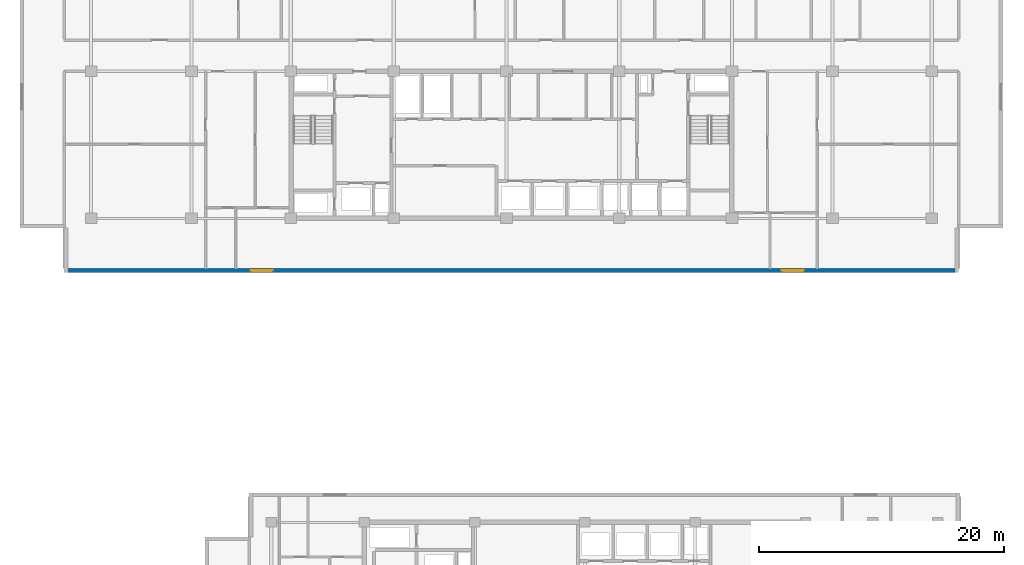
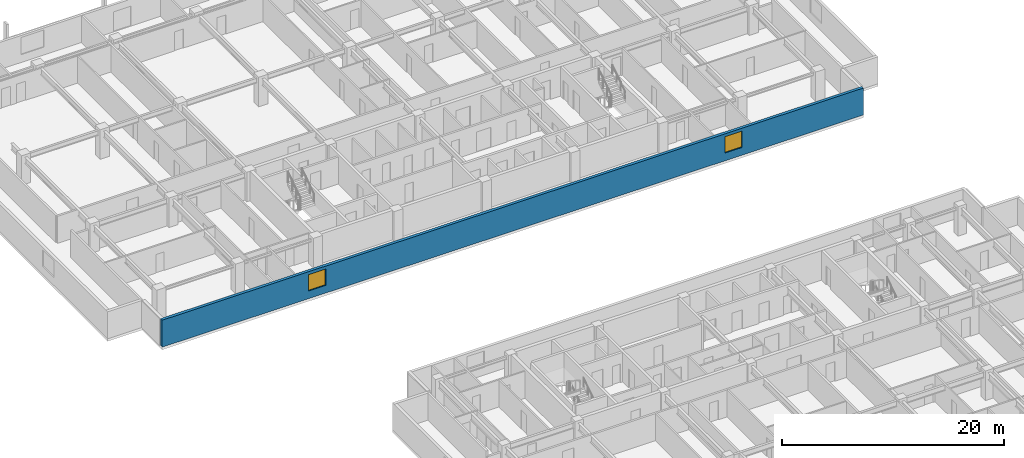
# One storey, part 9 of 22: 2 windows, 1 wall, 2 openings.
"""IFC4 building model written with IfcOpenShell, lengths in metres."""

from ifc_helpers import new_model, si_unit, direction, frame, frame_2d, origin, place, context, subcontext, project, spatial, rectangle, extrude, material, layer, layer_set, type_object, element, fill, save


model = new_model("IFC4")

# Units and contexts
model_context = context("Model", 3, precision=1e-05, world=origin(), true_north=direction((0.0, 1.0)))
body_context = subcontext(model_context, "Body", "Model", "MODEL_VIEW")
ifc_project = project(units=[si_unit("LENGTHUNIT", "METRE"), si_unit("AREAUNIT", "SQUARE_METRE"), si_unit("VOLUMEUNIT", "CUBIC_METRE"), si_unit("PLANEANGLEUNIT", "RADIAN"), si_unit("MASSUNIT", "GRAM", prefix="KILO")], contexts=[model_context])

# Site, building, storey
site_placement = place(None, origin())
site = spatial("IfcSite", under=ifc_project, at=site_placement, CompositionType="ELEMENT")
building_placement = place(site_placement, origin())
building = spatial("IfcBuilding", under=site, at=building_placement, Name="Korimba Cascade Residences", CompositionType="ELEMENT")
storey_placement = place(building_placement, frame((0.0, 0.0, 110.050048828125)))
storey = spatial("IfcBuildingStorey", under=building, at=storey_placement, Name="L31", CompositionType="ELEMENT", Elevation=110.050048828125)

# Wall, openings, windows
ifc_material_1 = material(Name="Precast concrete C40/50", Category="concrete")
ifc_layer = layer(ifc_material_1, 0.300048828125)
ifc_layer_set = layer_set([ifc_layer], Name="Precast concrete C40/50")
wall_type = type_object("IfcWallType", Name="EW-STONE-300", PredefinedType="STANDARD", material=ifc_layer_set)
wall_placement = place(storey_placement, frame((57.60009765625, 50.949951171875, 0.0), z_axis=(0.0, 0.0, 1.0), x_axis=(1.0, 0.0, 0.0)))
wall = element("IfcWall", 1, at=wall_placement, inside=storey, type_object=wall_type, Name="L31 T1 Perimeter Stone Wall E00", PredefinedType="STANDARD", context=body_context, shape_type="SweptSolid", body=[
    extrude(rectangle(XDim=73.0, YDim=0.300048828125, at=frame_2d((36.5, 0.0))), origin(), (0.0, 0.0, 1.0), 2.969970703125),
])
opening_1_placement = place(wall_placement, frame((15.22509765625, 0.0, 0.85009765625)))
opening_1 = element("IfcOpeningElement", 2, at=opening_1_placement, cuts=wall, Name="Opening W-02", PredefinedType="OPENING", context=body_context, shape_type="SweptSolid", body=[
    extrude(rectangle(XDim=1.800048828125, YDim=1.800048828125, at=frame_2d((0.89990234375, 0.89990234375))), frame((0.0, 0.16015625, 0.0), z_axis=(0.0, -1.0, 0.0), x_axis=(1.0, 0.0, 0.0)), (0.0, 0.0, 1.0), 0.320068359375),
])
opening_2_placement = place(wall_placement, frame((58.574951171875, 0.0, 0.85009765625)))
opening_2 = element("IfcOpeningElement", 3, at=opening_2_placement, cuts=wall, Name="Opening W-02", PredefinedType="OPENING", context=body_context, shape_type="SweptSolid", body=[
    extrude(rectangle(XDim=1.800048828125, YDim=1.800048828125, at=frame_2d((0.89990234375, 0.89990234375))), frame((0.0, 0.16015625, 0.0), z_axis=(0.0, -1.0, 0.0), x_axis=(1.0, 0.0, 0.0)), (0.0, 0.0, 1.0), 0.320068359375),
])
ifc_material_2 = material(Name="Double-Glazed Aluminium Window", Category="aluminium")
window_type = type_object("IfcWindowType", Name="WIN-BED-1800", PartitioningType="SINGLE_PANEL", PredefinedType="WINDOW", material=ifc_material_2)
window_1_placement = place(opening_1_placement, origin())
window_1 = element("IfcWindow", 4, at=window_1_placement, inside=storey, type_object=window_type, Name="L31 T1 South Corner Bedroom Window 1", OverallHeight=1.800048828125, OverallWidth=1.800048828125, PartitioningType="SINGLE_PANEL", PredefinedType="WINDOW", context=body_context, shape_type="SweptSolid", body=[
    extrude(rectangle(XDim=1.800048828125, YDim=1.800048828125, at=frame_2d((0.89990234375, 0.89990234375))), frame((0.0, 0.030029296875, 0.0), z_axis=(0.0, -1.0, 0.0), x_axis=(1.0, 0.0, 0.0)), (0.0, 0.0, 1.0), 0.06005859375),
])
fill(opening_1, window_1)
window_2_placement = place(opening_2_placement, origin())
window_2 = element("IfcWindow", 5, at=window_2_placement, inside=storey, type_object=window_type, Name="L31 T1 South Corner Bedroom Window 2", OverallHeight=1.800048828125, OverallWidth=1.800048828125, PartitioningType="SINGLE_PANEL", PredefinedType="WINDOW", context=body_context, shape_type="SweptSolid", body=[
    extrude(rectangle(XDim=1.800048828125, YDim=1.800048828125, at=frame_2d((0.89990234375, 0.89990234375))), frame((0.0, 0.030029296875, 0.0), z_axis=(0.0, -1.0, 0.0), x_axis=(1.0, 0.0, 0.0)), (0.0, 0.0, 1.0), 0.06005859375),
])
fill(opening_2, window_2)

save(model, "model.ifc")
